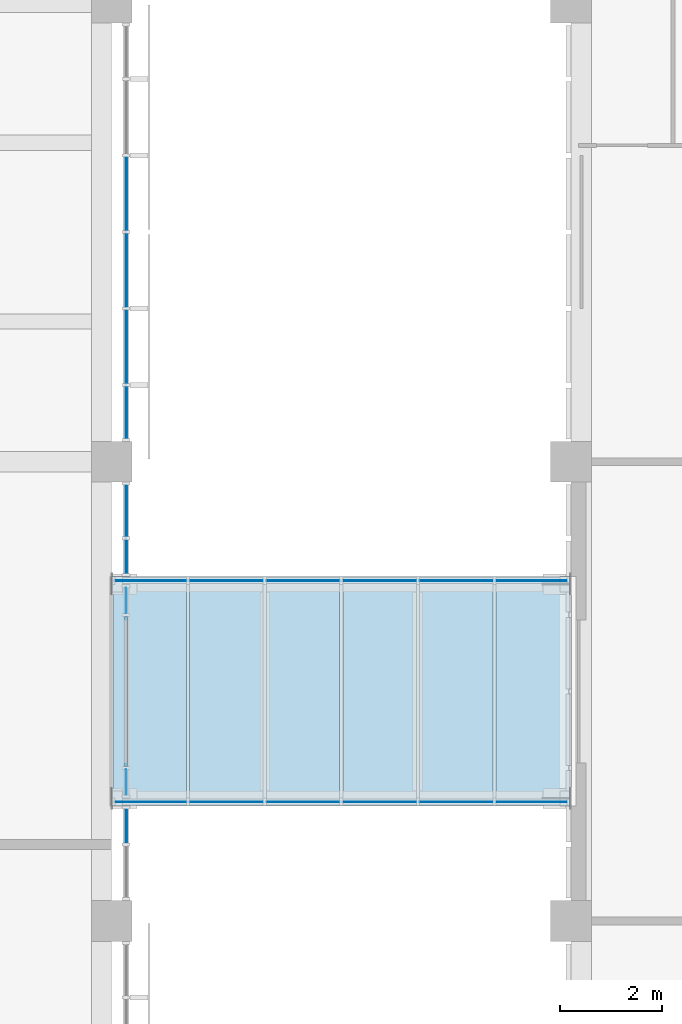
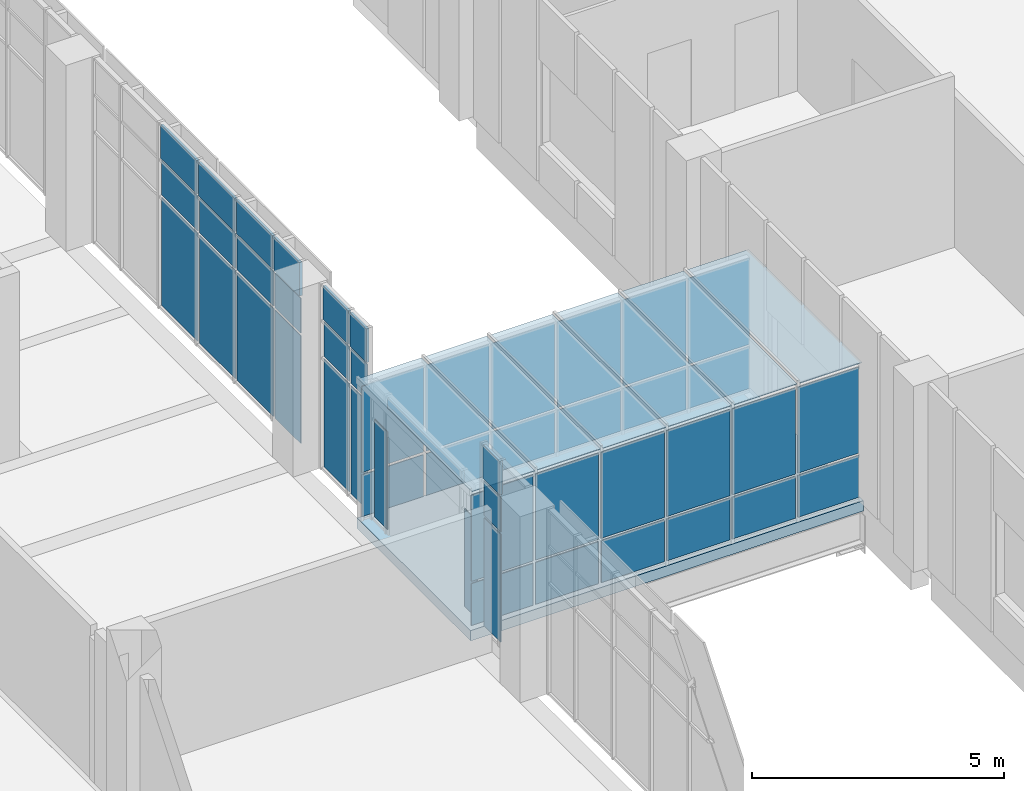
# One storey, part 48 of 88: 54 plates, 1 slab, 7 elements without a shape of their own.
"""IFC4 building model written with IfcOpenShell, lengths in metres."""

from ifc_helpers import new_model, si_unit, direction, frame, origin, origin_2d, place, context, subcontext, project, spatial, polyline, rectangle, outline, extrude, material, layer, layer_set, type_object, element, aggregate, save


model = new_model("IFC4")

# Units and contexts
model_context = context("Model", 3, precision=1e-05, world=origin(), true_north=direction((0.0, 1.0)))
body_context = subcontext(model_context, "Body", "Model", "MODEL_VIEW")
ifc_project = project(units=[si_unit("LENGTHUNIT", "METRE"), si_unit("AREAUNIT", "SQUARE_METRE"), si_unit("VOLUMEUNIT", "CUBIC_METRE"), si_unit("PLANEANGLEUNIT", "RADIAN"), si_unit("MASSUNIT", "GRAM", prefix="KILO")], contexts=[model_context])

# Site, building, storey
site_placement = place(None, origin())
site = spatial("IfcSite", under=ifc_project, at=site_placement, CompositionType="ELEMENT")
building_placement = place(site_placement, origin())
building = spatial("IfcBuilding", under=site, at=building_placement, Name="Guidao Yard Department Store", CompositionType="ELEMENT")
storey_placement = place(building_placement, frame((0.0, 0.0, 6.0)))
storey = spatial("IfcBuildingStorey", under=building, at=storey_placement, Name="L01", CompositionType="ELEMENT", Elevation=6.0)

# Slab
ifc_material_1 = material(Name="Concrete C35", Category="concrete")
ifc_layer_1 = layer(ifc_material_1, 0.25)
ifc_layer_set_1 = layer_set([ifc_layer_1], Name="Bridge deck slab 250 C35")
slab_type = type_object("IfcSlabType", Name="Bridge deck slab 250 C35", PredefinedType="FLOOR", material=ifc_layer_set_1)
slab_placement = place(storey_placement, frame((0.0, 0.0, -0.25)))
element("IfcSlab", 1, at=slab_placement, inside=storey, type_object=slab_type, Name="Slab BR07", PredefinedType="FLOOR", context=body_context, shape_type="SweptSolid", body=[
    extrude(outline(polyline([(108.0, 83.25), (108.0, 87.75), (116.985107421875, 87.75), (116.985107421875, 83.25), (108.0, 83.25)])), origin(), (0.0, 0.0, 1.0), 0.25),
])

# Curtain wall, plates
ifc_material_2 = material(Name="Aluminium and glass", Category="aluminium")
ifc_layer_2 = layer(ifc_material_2, 0.159912109375)
ifc_layer_set_2 = layer_set([ifc_layer_2], Name="Bridge glazing CW5 1500 module")
curtain_wall_type_1 = type_object("IfcCurtainWallType", Name="Bridge glazing CW5 1500 module", PredefinedType="NOTDEFINED", material=ifc_layer_set_2)
curtain_wall_1_placement = place(storey_placement, origin())
curtain_wall_1 = element("IfcCurtainWall", 2, at=curtain_wall_1_placement, inside=storey, type_object=curtain_wall_type_1, Name="Bridge roof glazing BR07", PredefinedType="NOTDEFINED")
ifc_material_3 = material(Name="Laminated glass", Category="glass")
ifc_layer_3 = layer(ifc_material_3, 0.017578125)
ifc_layer_set_3 = layer_set([ifc_layer_3], Name="Bridge roof glass BG1 laminated 8+8 fritted")
plate_type_1 = type_object("IfcPlateType", Name="Bridge roof glass BG1 laminated 8+8 fritted", PredefinedType="CURTAIN_PANEL", material=ifc_layer_set_3)
plate_1_placement = place(storey_placement, frame((108.75, 85.5, 3.34130859375), z_axis=(0.0, 0.0, 1.0), x_axis=(1.0, 0.0, 0.0)))
plate_1 = element("IfcPlate", 3, at=plate_1_placement, type_object=plate_type_1, Name="Bridge roof glass BR07", PredefinedType="CURTAIN_PANEL", context=body_context, shape_type="SweptSolid", body=[
    extrude(rectangle(XDim=1.43994140625, YDim=4.5, at=origin_2d()), origin(), (0.0, 0.0, 1.0), 0.017578125),
])
plate_2_placement = place(storey_placement, frame((110.25, 85.5, 3.34130859375), z_axis=(0.0, 0.0, 1.0), x_axis=(1.0, 0.0, 0.0)))
plate_2 = element("IfcPlate", 4, at=plate_2_placement, type_object=plate_type_1, Name="Bridge roof glass BR07", PredefinedType="CURTAIN_PANEL", context=body_context, shape_type="SweptSolid", body=[
    extrude(rectangle(XDim=1.43994140625, YDim=4.5, at=origin_2d()), origin(), (0.0, 0.0, 1.0), 0.017578125),
])
plate_3_placement = place(storey_placement, frame((111.75, 85.5, 3.34130859375), z_axis=(0.0, 0.0, 1.0), x_axis=(1.0, 0.0, 0.0)))
plate_3 = element("IfcPlate", 5, at=plate_3_placement, type_object=plate_type_1, Name="Bridge roof glass BR07", PredefinedType="CURTAIN_PANEL", context=body_context, shape_type="SweptSolid", body=[
    extrude(rectangle(XDim=1.43994140625, YDim=4.5, at=origin_2d()), origin(), (0.0, 0.0, 1.0), 0.017578125),
])
plate_4_placement = place(storey_placement, frame((113.25, 85.5, 3.34130859375), z_axis=(0.0, 0.0, 1.0), x_axis=(1.0, 0.0, 0.0)))
plate_4 = element("IfcPlate", 6, at=plate_4_placement, type_object=plate_type_1, Name="Bridge roof glass BR07", PredefinedType="CURTAIN_PANEL", context=body_context, shape_type="SweptSolid", body=[
    extrude(rectangle(XDim=1.43994140625, YDim=4.5, at=origin_2d()), origin(), (0.0, 0.0, 1.0), 0.017578125),
])
plate_5_placement = place(storey_placement, frame((114.75, 85.5, 3.34130859375), z_axis=(0.0, 0.0, 1.0), x_axis=(1.0, 0.0, 0.0)))
plate_5 = element("IfcPlate", 7, at=plate_5_placement, type_object=plate_type_1, Name="Bridge roof glass BR07", PredefinedType="CURTAIN_PANEL", context=body_context, shape_type="SweptSolid", body=[
    extrude(rectangle(XDim=1.43994140625, YDim=4.5, at=origin_2d()), origin(), (0.0, 0.0, 1.0), 0.017578125),
])
plate_6_placement = place(storey_placement, frame((116.242431640625, 85.5, 3.34130859375), z_axis=(0.0, 0.0, 1.0), x_axis=(1.0, 0.0, 0.0)))
plate_6 = element("IfcPlate", 8, at=plate_6_placement, type_object=plate_type_1, Name="Bridge roof glass BR07", PredefinedType="CURTAIN_PANEL", context=body_context, shape_type="SweptSolid", body=[
    extrude(rectangle(XDim=1.425048828125, YDim=4.5, at=origin_2d()), origin(), (0.0, 0.0, 1.0), 0.017578125),
])
aggregate(curtain_wall_1, [plate_1, plate_2, plate_3, plate_4, plate_5, plate_6])

# Curtain wall, plate
ifc_material_4 = material(Name="Aluminium and glass", Category="aluminium")
ifc_layer_4 = layer(ifc_material_4, 0.159912109375)
ifc_layer_set_4 = layer_set([ifc_layer_4], Name="Shopfront curtain wall CW1 1500 module")
curtain_wall_type_2 = type_object("IfcCurtainWallType", Name="Shopfront curtain wall CW1 1500 module", PredefinedType="NOTDEFINED", material=ifc_layer_set_4)
curtain_wall_2_placement = place(storey_placement, origin())
curtain_wall_2 = element("IfcCurtainWall", 9, at=curtain_wall_2_placement, inside=storey, type_object=curtain_wall_type_2, Name="Arcade shop front", PredefinedType="NOTDEFINED")
ifc_material_5 = material(Name="Aluminium 6063-T5 faced insulated spandrel", Category="aluminium")
ifc_layer_5 = layer(ifc_material_5, 0.06005859375)
ifc_layer_set_5 = layer_set([ifc_layer_5], Name="Spandrel panel SP1 insulated opaque")
plate_type_2 = type_object("IfcPlateType", Name="Spandrel panel SP1 insulated opaque", PredefinedType="CURTAIN_PANEL", material=ifc_layer_set_5)
plate_7_placement = place(storey_placement, frame((108.280029296875, 82.860107421875, 3.6298828125), z_axis=(0.0, 0.0, 1.0), x_axis=(0.0, -1.0, 0.0)))
plate_7 = element("IfcPlate", 10, at=plate_7_placement, type_object=plate_type_2, Name="CW-AS-L01-18 panel 2.3", PredefinedType="CURTAIN_PANEL", context=body_context, shape_type="SweptSolid", body=[
    extrude(rectangle(XDim=0.659912109375, YDim=0.06005859375, at=origin_2d()), origin(), (0.0, 0.0, 1.0), 0.81005859375),
])

curtain_wall_3_placement = place(storey_placement, origin())
curtain_wall_3 = element("IfcCurtainWall", 11, at=curtain_wall_3_placement, inside=storey, type_object=curtain_wall_type_2, Name="Arcade shop front", PredefinedType="NOTDEFINED")
plate_8_placement = place(storey_placement, frame((108.280029296875, 85.5, 3.02978515625), z_axis=(0.0, 0.0, 1.0), x_axis=(0.0, -1.0, 0.0)))
plate_8 = element("IfcPlate", 12, at=plate_8_placement, type_object=plate_type_2, Name="CW-AS-L01-19 panel 2.2", PredefinedType="CURTAIN_PANEL", context=body_context, shape_type="SweptSolid", body=[
    extrude(rectangle(XDim=2.93994140625, YDim=0.06005859375, at=origin_2d()), origin(), (0.0, 0.0, 1.0), 0.260009765625),
])

# Curtain wall, plates
curtain_wall_4_placement = place(storey_placement, origin())
curtain_wall_4 = element("IfcCurtainWall", 13, at=curtain_wall_4_placement, inside=storey, type_object=curtain_wall_type_2, Name="Arcade shop front", PredefinedType="NOTDEFINED")
plate_9_placement = place(storey_placement, frame((108.280029296875, 88.139892578125, 3.6298828125), z_axis=(0.0, 0.0, 1.0), x_axis=(0.0, -1.0, 0.0)))
plate_9 = element("IfcPlate", 14, at=plate_9_placement, type_object=plate_type_2, Name="CW-AS-L01-20 panel 1.3", PredefinedType="CURTAIN_PANEL", context=body_context, shape_type="SweptSolid", body=[
    extrude(rectangle(XDim=0.659912109375, YDim=0.06005859375, at=origin_2d()), origin(), (0.0, 0.0, 1.0), 0.81005859375),
])
plate_10_placement = place(storey_placement, frame((108.280029296875, 89.034912109375, 3.6298828125), z_axis=(0.0, 0.0, 1.0), x_axis=(0.0, -1.0, 0.0)))
plate_10 = element("IfcPlate", 15, at=plate_10_placement, type_object=plate_type_2, Name="CW-AS-L01-20 panel 2.3", PredefinedType="CURTAIN_PANEL", context=body_context, shape_type="SweptSolid", body=[
    extrude(rectangle(XDim=1.010009765625, YDim=0.06005859375, at=origin_2d()), origin(), (0.0, 0.0, 1.0), 0.81005859375),
])

curtain_wall_5_placement = place(storey_placement, origin())
curtain_wall_5 = element("IfcCurtainWall", 16, at=curtain_wall_5_placement, inside=storey, type_object=curtain_wall_type_2, Name="Arcade shop front", PredefinedType="NOTDEFINED")
plate_11_placement = place(storey_placement, frame((108.280029296875, 90.965087890625, 3.6298828125), z_axis=(0.0, 0.0, 1.0), x_axis=(0.0, -1.0, 0.0)))
plate_11 = element("IfcPlate", 17, at=plate_11_placement, type_object=plate_type_2, Name="CW-AS-L01-21 panel 1.3", PredefinedType="CURTAIN_PANEL", context=body_context, shape_type="SweptSolid", body=[
    extrude(rectangle(XDim=1.010009765625, YDim=0.06005859375, at=origin_2d()), origin(), (0.0, 0.0, 1.0), 0.81005859375),
])
plate_12_placement = place(storey_placement, frame((108.280029296875, 92.25, 3.6298828125), z_axis=(0.0, 0.0, 1.0), x_axis=(0.0, -1.0, 0.0)))
plate_12 = element("IfcPlate", 18, at=plate_12_placement, type_object=plate_type_2, Name="CW-AS-L01-21 panel 2.3", PredefinedType="CURTAIN_PANEL", context=body_context, shape_type="SweptSolid", body=[
    extrude(rectangle(XDim=1.43994140625, YDim=0.06005859375, at=origin_2d()), origin(), (0.0, 0.0, 1.0), 0.81005859375),
])
plate_13_placement = place(storey_placement, frame((108.280029296875, 93.75, 3.6298828125), z_axis=(0.0, 0.0, 1.0), x_axis=(0.0, -1.0, 0.0)))
plate_13 = element("IfcPlate", 19, at=plate_13_placement, type_object=plate_type_2, Name="CW-AS-L01-21 panel 3.3", PredefinedType="CURTAIN_PANEL", context=body_context, shape_type="SweptSolid", body=[
    extrude(rectangle(XDim=1.43994140625, YDim=0.06005859375, at=origin_2d()), origin(), (0.0, 0.0, 1.0), 0.81005859375),
])
plate_14_placement = place(storey_placement, frame((108.280029296875, 95.25, 3.6298828125), z_axis=(0.0, 0.0, 1.0), x_axis=(0.0, -1.0, 0.0)))
plate_14 = element("IfcPlate", 20, at=plate_14_placement, type_object=plate_type_2, Name="CW-AS-L01-21 panel 4.3", PredefinedType="CURTAIN_PANEL", context=body_context, shape_type="SweptSolid", body=[
    extrude(rectangle(XDim=1.43994140625, YDim=0.06005859375, at=origin_2d()), origin(), (0.0, 0.0, 1.0), 0.81005859375),
])

# Plate
ifc_material_6 = material(Name="Laminated heat-soaked tempered glass", Category="glass")
ifc_layer_6 = layer(ifc_material_6, 0.017578125)
ifc_layer_set_6 = layer_set([ifc_layer_6], Name="Vision glass VG1 laminated heat-soaked tempered 8+8")
plate_type_3 = type_object("IfcPlateType", Name="Vision glass VG1 laminated heat-soaked tempered 8+8", PredefinedType="CURTAIN_PANEL", material=ifc_layer_set_6)
plate_15_placement = place(storey_placement, frame((108.280029296875, 82.860107421875, 0.06005859375), z_axis=(0.0, 0.0, 1.0), x_axis=(0.0, -1.0, 0.0)))
plate_15 = element("IfcPlate", 21, at=plate_15_placement, type_object=plate_type_3, Name="CW-AS-L01-18 panel 2.1", PredefinedType="CURTAIN_PANEL", context=body_context, shape_type="SweptSolid", body=[
    extrude(rectangle(XDim=0.659912109375, YDim=0.017578125, at=origin_2d()), origin(), (0.0, 0.0, 1.0), 2.610107421875),
])

plate_16_placement = place(storey_placement, frame((108.280029296875, 82.860107421875, 2.72998046875), z_axis=(0.0, 0.0, 1.0), x_axis=(0.0, -1.0, 0.0)))
plate_16 = element("IfcPlate", 22, at=plate_16_placement, type_object=plate_type_3, Name="CW-AS-L01-18 panel 2.2", PredefinedType="CURTAIN_PANEL", context=body_context, shape_type="SweptSolid", body=[
    extrude(rectangle(XDim=0.659912109375, YDim=0.017578125, at=origin_2d()), origin(), (0.0, 0.0, 1.0), 0.840087890625),
])

aggregate(curtain_wall_2, [plate_15, plate_16, plate_7])

plate_17_placement = place(storey_placement, frame((108.280029296875, 83.719970703125, 0.06005859375), z_axis=(0.0, 0.0, 1.0), x_axis=(0.0, -1.0, 0.0)))
plate_17 = element("IfcPlate", 23, at=plate_17_placement, type_object=plate_type_3, Name="CW-AS-L01-19 panel 1.1", PredefinedType="CURTAIN_PANEL", context=body_context, shape_type="SweptSolid", body=[
    extrude(rectangle(XDim=0.5, YDim=0.017578125, at=origin_2d()), origin(), (0.0, 0.0, 1.0), 2.360107421875),
])

plate_18_placement = place(storey_placement, frame((108.280029296875, 87.280029296875, 0.06005859375), z_axis=(0.0, 0.0, 1.0), x_axis=(0.0, -1.0, 0.0)))
plate_18 = element("IfcPlate", 24, at=plate_18_placement, type_object=plate_type_3, Name="CW-AS-L01-19 panel 3.1", PredefinedType="CURTAIN_PANEL", context=body_context, shape_type="SweptSolid", body=[
    extrude(rectangle(XDim=0.5, YDim=0.017578125, at=origin_2d()), origin(), (0.0, 0.0, 1.0), 2.360107421875),
])

aggregate(curtain_wall_3, [plate_17, plate_8, plate_18])

plate_19_placement = place(storey_placement, frame((108.280029296875, 88.139892578125, 0.06005859375), z_axis=(0.0, 0.0, 1.0), x_axis=(0.0, -1.0, 0.0)))
plate_19 = element("IfcPlate", 25, at=plate_19_placement, type_object=plate_type_3, Name="CW-AS-L01-20 panel 1.1", PredefinedType="CURTAIN_PANEL", context=body_context, shape_type="SweptSolid", body=[
    extrude(rectangle(XDim=0.659912109375, YDim=0.017578125, at=origin_2d()), origin(), (0.0, 0.0, 1.0), 2.610107421875),
])

plate_20_placement = place(storey_placement, frame((108.280029296875, 88.139892578125, 2.72998046875), z_axis=(0.0, 0.0, 1.0), x_axis=(0.0, -1.0, 0.0)))
plate_20 = element("IfcPlate", 26, at=plate_20_placement, type_object=plate_type_3, Name="CW-AS-L01-20 panel 1.2", PredefinedType="CURTAIN_PANEL", context=body_context, shape_type="SweptSolid", body=[
    extrude(rectangle(XDim=0.659912109375, YDim=0.017578125, at=origin_2d()), origin(), (0.0, 0.0, 1.0), 0.840087890625),
])

plate_21_placement = place(storey_placement, frame((108.280029296875, 89.034912109375, 0.06005859375), z_axis=(0.0, 0.0, 1.0), x_axis=(0.0, -1.0, 0.0)))
plate_21 = element("IfcPlate", 27, at=plate_21_placement, type_object=plate_type_3, Name="CW-AS-L01-20 panel 2.1", PredefinedType="CURTAIN_PANEL", context=body_context, shape_type="SweptSolid", body=[
    extrude(rectangle(XDim=1.010009765625, YDim=0.017578125, at=origin_2d()), origin(), (0.0, 0.0, 1.0), 2.610107421875),
])

plate_22_placement = place(storey_placement, frame((108.280029296875, 89.034912109375, 2.72998046875), z_axis=(0.0, 0.0, 1.0), x_axis=(0.0, -1.0, 0.0)))
plate_22 = element("IfcPlate", 28, at=plate_22_placement, type_object=plate_type_3, Name="CW-AS-L01-20 panel 2.2", PredefinedType="CURTAIN_PANEL", context=body_context, shape_type="SweptSolid", body=[
    extrude(rectangle(XDim=1.010009765625, YDim=0.017578125, at=origin_2d()), origin(), (0.0, 0.0, 1.0), 0.840087890625),
])

aggregate(curtain_wall_4, [plate_19, plate_20, plate_9, plate_21, plate_22, plate_10])

plate_23_placement = place(storey_placement, frame((108.280029296875, 90.965087890625, 0.06005859375), z_axis=(0.0, 0.0, 1.0), x_axis=(0.0, -1.0, 0.0)))
plate_23 = element("IfcPlate", 29, at=plate_23_placement, type_object=plate_type_3, Name="CW-AS-L01-21 panel 1.1", PredefinedType="CURTAIN_PANEL", context=body_context, shape_type="SweptSolid", body=[
    extrude(rectangle(XDim=1.010009765625, YDim=0.017578125, at=origin_2d()), origin(), (0.0, 0.0, 1.0), 2.610107421875),
])

plate_24_placement = place(storey_placement, frame((108.280029296875, 90.965087890625, 2.72998046875), z_axis=(0.0, 0.0, 1.0), x_axis=(0.0, -1.0, 0.0)))
plate_24 = element("IfcPlate", 30, at=plate_24_placement, type_object=plate_type_3, Name="CW-AS-L01-21 panel 1.2", PredefinedType="CURTAIN_PANEL", context=body_context, shape_type="SweptSolid", body=[
    extrude(rectangle(XDim=1.010009765625, YDim=0.017578125, at=origin_2d()), origin(), (0.0, 0.0, 1.0), 0.840087890625),
])

plate_25_placement = place(storey_placement, frame((108.280029296875, 92.25, 0.06005859375), z_axis=(0.0, 0.0, 1.0), x_axis=(0.0, -1.0, 0.0)))
plate_25 = element("IfcPlate", 31, at=plate_25_placement, type_object=plate_type_3, Name="CW-AS-L01-21 panel 2.1", PredefinedType="CURTAIN_PANEL", context=body_context, shape_type="SweptSolid", body=[
    extrude(rectangle(XDim=1.43994140625, YDim=0.017578125, at=origin_2d()), origin(), (0.0, 0.0, 1.0), 2.610107421875),
])

plate_26_placement = place(storey_placement, frame((108.280029296875, 92.25, 2.72998046875), z_axis=(0.0, 0.0, 1.0), x_axis=(0.0, -1.0, 0.0)))
plate_26 = element("IfcPlate", 32, at=plate_26_placement, type_object=plate_type_3, Name="CW-AS-L01-21 panel 2.2", PredefinedType="CURTAIN_PANEL", context=body_context, shape_type="SweptSolid", body=[
    extrude(rectangle(XDim=1.43994140625, YDim=0.017578125, at=origin_2d()), origin(), (0.0, 0.0, 1.0), 0.840087890625),
])

plate_27_placement = place(storey_placement, frame((108.280029296875, 93.75, 0.06005859375), z_axis=(0.0, 0.0, 1.0), x_axis=(0.0, -1.0, 0.0)))
plate_27 = element("IfcPlate", 33, at=plate_27_placement, type_object=plate_type_3, Name="CW-AS-L01-21 panel 3.1", PredefinedType="CURTAIN_PANEL", context=body_context, shape_type="SweptSolid", body=[
    extrude(rectangle(XDim=1.43994140625, YDim=0.017578125, at=origin_2d()), origin(), (0.0, 0.0, 1.0), 2.610107421875),
])

plate_28_placement = place(storey_placement, frame((108.280029296875, 93.75, 2.72998046875), z_axis=(0.0, 0.0, 1.0), x_axis=(0.0, -1.0, 0.0)))
plate_28 = element("IfcPlate", 34, at=plate_28_placement, type_object=plate_type_3, Name="CW-AS-L01-21 panel 3.2", PredefinedType="CURTAIN_PANEL", context=body_context, shape_type="SweptSolid", body=[
    extrude(rectangle(XDim=1.43994140625, YDim=0.017578125, at=origin_2d()), origin(), (0.0, 0.0, 1.0), 0.840087890625),
])

plate_29_placement = place(storey_placement, frame((108.280029296875, 95.25, 0.06005859375), z_axis=(0.0, 0.0, 1.0), x_axis=(0.0, -1.0, 0.0)))
plate_29 = element("IfcPlate", 35, at=plate_29_placement, type_object=plate_type_3, Name="CW-AS-L01-21 panel 4.1", PredefinedType="CURTAIN_PANEL", context=body_context, shape_type="SweptSolid", body=[
    extrude(rectangle(XDim=1.43994140625, YDim=0.017578125, at=origin_2d()), origin(), (0.0, 0.0, 1.0), 2.610107421875),
])

plate_30_placement = place(storey_placement, frame((108.280029296875, 95.25, 2.72998046875), z_axis=(0.0, 0.0, 1.0), x_axis=(0.0, -1.0, 0.0)))
plate_30 = element("IfcPlate", 36, at=plate_30_placement, type_object=plate_type_3, Name="CW-AS-L01-21 panel 4.2", PredefinedType="CURTAIN_PANEL", context=body_context, shape_type="SweptSolid", body=[
    extrude(rectangle(XDim=1.43994140625, YDim=0.017578125, at=origin_2d()), origin(), (0.0, 0.0, 1.0), 0.840087890625),
])

aggregate(curtain_wall_5, [plate_23, plate_24, plate_11, plate_25, plate_26, plate_12, plate_27, plate_28, plate_13, plate_29, plate_30, plate_14])

# Curtain wall, plates
curtain_wall_6_placement = place(storey_placement, origin())
curtain_wall_6 = element("IfcCurtainWall", 37, at=curtain_wall_6_placement, inside=storey, type_object=curtain_wall_type_1, Name="Bridge glazing BR07 S", PredefinedType="NOTDEFINED")
plate_31_placement = place(storey_placement, frame((108.764892578125, 83.330078125, 0.06005859375), z_axis=(0.0, 0.0, 1.0), x_axis=(-1.0, 0.0, 0.0)))
plate_31 = element("IfcPlate", 38, at=plate_31_placement, type_object=plate_type_3, Name="CW-S-L01-07 panel 1.1", PredefinedType="CURTAIN_PANEL", context=body_context, shape_type="SweptSolid", body=[
    extrude(rectangle(XDim=1.409912109375, YDim=0.017578125, at=origin_2d()), origin(), (0.0, 0.0, 1.0), 1.010009765625),
])
plate_32_placement = place(storey_placement, frame((108.764892578125, 83.330078125, 1.1298828125), z_axis=(0.0, 0.0, 1.0), x_axis=(-1.0, 0.0, 0.0)))
plate_32 = element("IfcPlate", 39, at=plate_32_placement, type_object=plate_type_3, Name="CW-S-L01-07 panel 1.2", PredefinedType="CURTAIN_PANEL", context=body_context, shape_type="SweptSolid", body=[
    extrude(rectangle(XDim=1.409912109375, YDim=0.017578125, at=origin_2d()), origin(), (0.0, 0.0, 1.0), 2.080078125),
])
plate_33_placement = place(storey_placement, frame((110.25, 83.330078125, 0.06005859375), z_axis=(0.0, 0.0, 1.0), x_axis=(-1.0, 0.0, 0.0)))
plate_33 = element("IfcPlate", 40, at=plate_33_placement, type_object=plate_type_3, Name="CW-S-L01-07 panel 2.1", PredefinedType="CURTAIN_PANEL", context=body_context, shape_type="SweptSolid", body=[
    extrude(rectangle(XDim=1.43994140625, YDim=0.017578125, at=origin_2d()), origin(), (0.0, 0.0, 1.0), 1.010009765625),
])
plate_34_placement = place(storey_placement, frame((110.25, 83.330078125, 1.1298828125), z_axis=(0.0, 0.0, 1.0), x_axis=(-1.0, 0.0, 0.0)))
plate_34 = element("IfcPlate", 41, at=plate_34_placement, type_object=plate_type_3, Name="CW-S-L01-07 panel 2.2", PredefinedType="CURTAIN_PANEL", context=body_context, shape_type="SweptSolid", body=[
    extrude(rectangle(XDim=1.43994140625, YDim=0.017578125, at=origin_2d()), origin(), (0.0, 0.0, 1.0), 2.080078125),
])
plate_35_placement = place(storey_placement, frame((111.75, 83.330078125, 0.06005859375), z_axis=(0.0, 0.0, 1.0), x_axis=(-1.0, 0.0, 0.0)))
plate_35 = element("IfcPlate", 42, at=plate_35_placement, type_object=plate_type_3, Name="CW-S-L01-07 panel 3.1", PredefinedType="CURTAIN_PANEL", context=body_context, shape_type="SweptSolid", body=[
    extrude(rectangle(XDim=1.43994140625, YDim=0.017578125, at=origin_2d()), origin(), (0.0, 0.0, 1.0), 1.010009765625),
])
plate_36_placement = place(storey_placement, frame((111.75, 83.330078125, 1.1298828125), z_axis=(0.0, 0.0, 1.0), x_axis=(-1.0, 0.0, 0.0)))
plate_36 = element("IfcPlate", 43, at=plate_36_placement, type_object=plate_type_3, Name="CW-S-L01-07 panel 3.2", PredefinedType="CURTAIN_PANEL", context=body_context, shape_type="SweptSolid", body=[
    extrude(rectangle(XDim=1.43994140625, YDim=0.017578125, at=origin_2d()), origin(), (0.0, 0.0, 1.0), 2.080078125),
])
plate_37_placement = place(storey_placement, frame((113.25, 83.330078125, 0.06005859375), z_axis=(0.0, 0.0, 1.0), x_axis=(-1.0, 0.0, 0.0)))
plate_37 = element("IfcPlate", 44, at=plate_37_placement, type_object=plate_type_3, Name="CW-S-L01-07 panel 4.1", PredefinedType="CURTAIN_PANEL", context=body_context, shape_type="SweptSolid", body=[
    extrude(rectangle(XDim=1.43994140625, YDim=0.017578125, at=origin_2d()), origin(), (0.0, 0.0, 1.0), 1.010009765625),
])
plate_38_placement = place(storey_placement, frame((113.25, 83.330078125, 1.1298828125), z_axis=(0.0, 0.0, 1.0), x_axis=(-1.0, 0.0, 0.0)))
plate_38 = element("IfcPlate", 45, at=plate_38_placement, type_object=plate_type_3, Name="CW-S-L01-07 panel 4.2", PredefinedType="CURTAIN_PANEL", context=body_context, shape_type="SweptSolid", body=[
    extrude(rectangle(XDim=1.43994140625, YDim=0.017578125, at=origin_2d()), origin(), (0.0, 0.0, 1.0), 2.080078125),
])
plate_39_placement = place(storey_placement, frame((114.75, 83.330078125, 0.06005859375), z_axis=(0.0, 0.0, 1.0), x_axis=(-1.0, 0.0, 0.0)))
plate_39 = element("IfcPlate", 46, at=plate_39_placement, type_object=plate_type_3, Name="CW-S-L01-07 panel 5.1", PredefinedType="CURTAIN_PANEL", context=body_context, shape_type="SweptSolid", body=[
    extrude(rectangle(XDim=1.43994140625, YDim=0.017578125, at=origin_2d()), origin(), (0.0, 0.0, 1.0), 1.010009765625),
])
plate_40_placement = place(storey_placement, frame((114.75, 83.330078125, 1.1298828125), z_axis=(0.0, 0.0, 1.0), x_axis=(-1.0, 0.0, 0.0)))
plate_40 = element("IfcPlate", 47, at=plate_40_placement, type_object=plate_type_3, Name="CW-S-L01-07 panel 5.2", PredefinedType="CURTAIN_PANEL", context=body_context, shape_type="SweptSolid", body=[
    extrude(rectangle(XDim=1.43994140625, YDim=0.017578125, at=origin_2d()), origin(), (0.0, 0.0, 1.0), 2.080078125),
])
plate_41_placement = place(storey_placement, frame((116.2275390625, 83.330078125, 0.06005859375), z_axis=(0.0, 0.0, 1.0), x_axis=(-1.0, 0.0, 0.0)))
plate_41 = element("IfcPlate", 48, at=plate_41_placement, type_object=plate_type_3, Name="CW-S-L01-07 panel 6.1", PredefinedType="CURTAIN_PANEL", context=body_context, shape_type="SweptSolid", body=[
    extrude(rectangle(XDim=1.39501953125, YDim=0.017578125, at=origin_2d()), origin(), (0.0, 0.0, 1.0), 1.010009765625),
])
plate_42_placement = place(storey_placement, frame((116.2275390625, 83.330078125, 1.1298828125), z_axis=(0.0, 0.0, 1.0), x_axis=(-1.0, 0.0, 0.0)))
plate_42 = element("IfcPlate", 49, at=plate_42_placement, type_object=plate_type_3, Name="CW-S-L01-07 panel 6.2", PredefinedType="CURTAIN_PANEL", context=body_context, shape_type="SweptSolid", body=[
    extrude(rectangle(XDim=1.39501953125, YDim=0.017578125, at=origin_2d()), origin(), (0.0, 0.0, 1.0), 2.080078125),
])
aggregate(curtain_wall_6, [plate_31, plate_32, plate_33, plate_34, plate_35, plate_36, plate_37, plate_38, plate_39, plate_40, plate_41, plate_42])

curtain_wall_7_placement = place(storey_placement, origin())
curtain_wall_7 = element("IfcCurtainWall", 50, at=curtain_wall_7_placement, inside=storey, type_object=curtain_wall_type_1, Name="Bridge glazing BR07 N", PredefinedType="NOTDEFINED")
plate_43_placement = place(storey_placement, frame((108.764892578125, 87.669921875, 0.06005859375), z_axis=(0.0, 0.0, 1.0), x_axis=(1.0, 0.0, 0.0)))
plate_43 = element("IfcPlate", 51, at=plate_43_placement, type_object=plate_type_3, Name="CW-N-L01-08 panel 1.1", PredefinedType="CURTAIN_PANEL", context=body_context, shape_type="SweptSolid", body=[
    extrude(rectangle(XDim=1.409912109375, YDim=0.017578125, at=origin_2d()), origin(), (0.0, 0.0, 1.0), 1.010009765625),
])
plate_44_placement = place(storey_placement, frame((108.764892578125, 87.669921875, 1.1298828125), z_axis=(0.0, 0.0, 1.0), x_axis=(1.0, 0.0, 0.0)))
plate_44 = element("IfcPlate", 52, at=plate_44_placement, type_object=plate_type_3, Name="CW-N-L01-08 panel 1.2", PredefinedType="CURTAIN_PANEL", context=body_context, shape_type="SweptSolid", body=[
    extrude(rectangle(XDim=1.409912109375, YDim=0.017578125, at=origin_2d()), origin(), (0.0, 0.0, 1.0), 2.080078125),
])
plate_45_placement = place(storey_placement, frame((110.25, 87.669921875, 0.06005859375), z_axis=(0.0, 0.0, 1.0), x_axis=(1.0, 0.0, 0.0)))
plate_45 = element("IfcPlate", 53, at=plate_45_placement, type_object=plate_type_3, Name="CW-N-L01-08 panel 2.1", PredefinedType="CURTAIN_PANEL", context=body_context, shape_type="SweptSolid", body=[
    extrude(rectangle(XDim=1.43994140625, YDim=0.017578125, at=origin_2d()), origin(), (0.0, 0.0, 1.0), 1.010009765625),
])
plate_46_placement = place(storey_placement, frame((110.25, 87.669921875, 1.1298828125), z_axis=(0.0, 0.0, 1.0), x_axis=(1.0, 0.0, 0.0)))
plate_46 = element("IfcPlate", 54, at=plate_46_placement, type_object=plate_type_3, Name="CW-N-L01-08 panel 2.2", PredefinedType="CURTAIN_PANEL", context=body_context, shape_type="SweptSolid", body=[
    extrude(rectangle(XDim=1.43994140625, YDim=0.017578125, at=origin_2d()), origin(), (0.0, 0.0, 1.0), 2.080078125),
])
plate_47_placement = place(storey_placement, frame((111.75, 87.669921875, 0.06005859375), z_axis=(0.0, 0.0, 1.0), x_axis=(1.0, 0.0, 0.0)))
plate_47 = element("IfcPlate", 55, at=plate_47_placement, type_object=plate_type_3, Name="CW-N-L01-08 panel 3.1", PredefinedType="CURTAIN_PANEL", context=body_context, shape_type="SweptSolid", body=[
    extrude(rectangle(XDim=1.43994140625, YDim=0.017578125, at=origin_2d()), origin(), (0.0, 0.0, 1.0), 1.010009765625),
])
plate_48_placement = place(storey_placement, frame((111.75, 87.669921875, 1.1298828125), z_axis=(0.0, 0.0, 1.0), x_axis=(1.0, 0.0, 0.0)))
plate_48 = element("IfcPlate", 56, at=plate_48_placement, type_object=plate_type_3, Name="CW-N-L01-08 panel 3.2", PredefinedType="CURTAIN_PANEL", context=body_context, shape_type="SweptSolid", body=[
    extrude(rectangle(XDim=1.43994140625, YDim=0.017578125, at=origin_2d()), origin(), (0.0, 0.0, 1.0), 2.080078125),
])
plate_49_placement = place(storey_placement, frame((113.25, 87.669921875, 0.06005859375), z_axis=(0.0, 0.0, 1.0), x_axis=(1.0, 0.0, 0.0)))
plate_49 = element("IfcPlate", 57, at=plate_49_placement, type_object=plate_type_3, Name="CW-N-L01-08 panel 4.1", PredefinedType="CURTAIN_PANEL", context=body_context, shape_type="SweptSolid", body=[
    extrude(rectangle(XDim=1.43994140625, YDim=0.017578125, at=origin_2d()), origin(), (0.0, 0.0, 1.0), 1.010009765625),
])
plate_50_placement = place(storey_placement, frame((113.25, 87.669921875, 1.1298828125), z_axis=(0.0, 0.0, 1.0), x_axis=(1.0, 0.0, 0.0)))
plate_50 = element("IfcPlate", 58, at=plate_50_placement, type_object=plate_type_3, Name="CW-N-L01-08 panel 4.2", PredefinedType="CURTAIN_PANEL", context=body_context, shape_type="SweptSolid", body=[
    extrude(rectangle(XDim=1.43994140625, YDim=0.017578125, at=origin_2d()), origin(), (0.0, 0.0, 1.0), 2.080078125),
])
plate_51_placement = place(storey_placement, frame((114.75, 87.669921875, 0.06005859375), z_axis=(0.0, 0.0, 1.0), x_axis=(1.0, 0.0, 0.0)))
plate_51 = element("IfcPlate", 59, at=plate_51_placement, type_object=plate_type_3, Name="CW-N-L01-08 panel 5.1", PredefinedType="CURTAIN_PANEL", context=body_context, shape_type="SweptSolid", body=[
    extrude(rectangle(XDim=1.43994140625, YDim=0.017578125, at=origin_2d()), origin(), (0.0, 0.0, 1.0), 1.010009765625),
])
plate_52_placement = place(storey_placement, frame((114.75, 87.669921875, 1.1298828125), z_axis=(0.0, 0.0, 1.0), x_axis=(1.0, 0.0, 0.0)))
plate_52 = element("IfcPlate", 60, at=plate_52_placement, type_object=plate_type_3, Name="CW-N-L01-08 panel 5.2", PredefinedType="CURTAIN_PANEL", context=body_context, shape_type="SweptSolid", body=[
    extrude(rectangle(XDim=1.43994140625, YDim=0.017578125, at=origin_2d()), origin(), (0.0, 0.0, 1.0), 2.080078125),
])
plate_53_placement = place(storey_placement, frame((116.2275390625, 87.669921875, 0.06005859375), z_axis=(0.0, 0.0, 1.0), x_axis=(1.0, 0.0, 0.0)))
plate_53 = element("IfcPlate", 61, at=plate_53_placement, type_object=plate_type_3, Name="CW-N-L01-08 panel 6.1", PredefinedType="CURTAIN_PANEL", context=body_context, shape_type="SweptSolid", body=[
    extrude(rectangle(XDim=1.39501953125, YDim=0.017578125, at=origin_2d()), origin(), (0.0, 0.0, 1.0), 1.010009765625),
])
plate_54_placement = place(storey_placement, frame((116.2275390625, 87.669921875, 1.1298828125), z_axis=(0.0, 0.0, 1.0), x_axis=(1.0, 0.0, 0.0)))
plate_54 = element("IfcPlate", 62, at=plate_54_placement, type_object=plate_type_3, Name="CW-N-L01-08 panel 6.2", PredefinedType="CURTAIN_PANEL", context=body_context, shape_type="SweptSolid", body=[
    extrude(rectangle(XDim=1.39501953125, YDim=0.017578125, at=origin_2d()), origin(), (0.0, 0.0, 1.0), 2.080078125),
])
aggregate(curtain_wall_7, [plate_43, plate_44, plate_45, plate_46, plate_47, plate_48, plate_49, plate_50, plate_51, plate_52, plate_53, plate_54])

save(model, "model.ifc")
